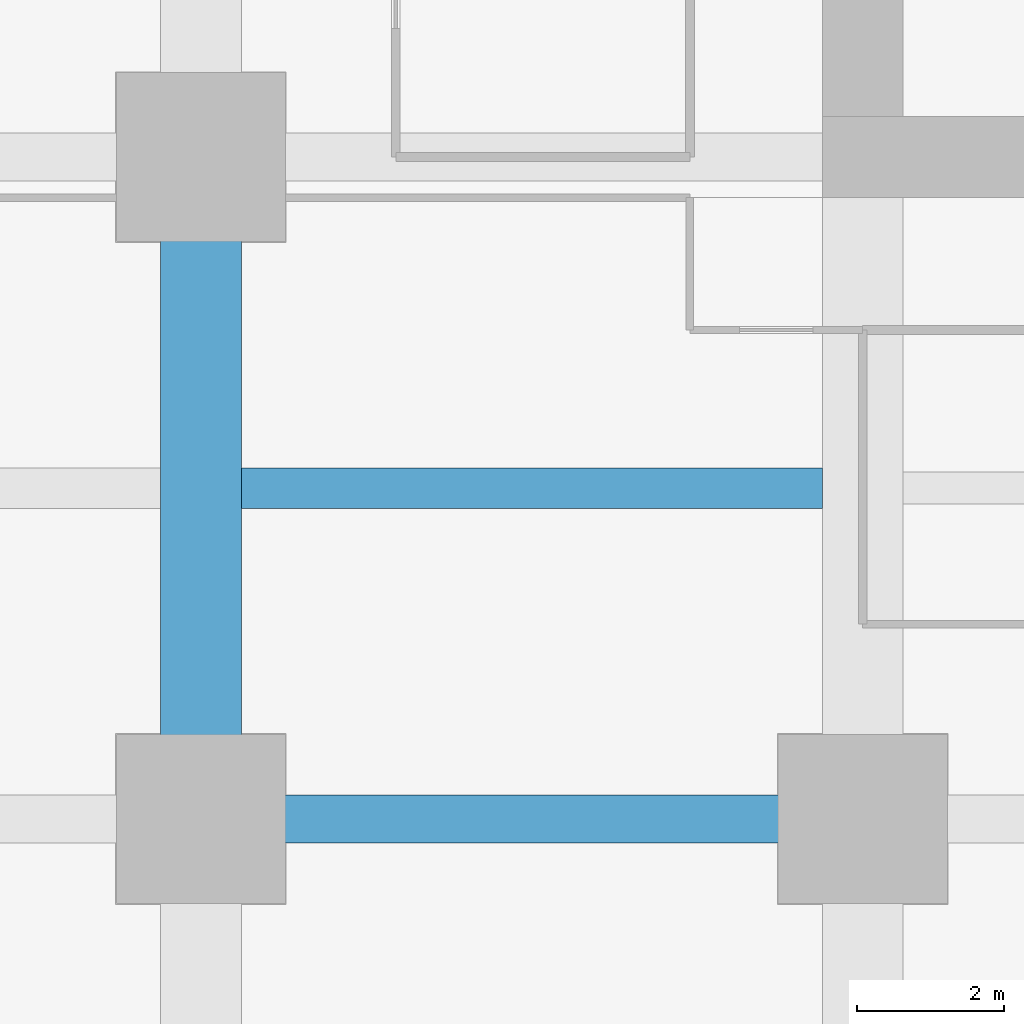
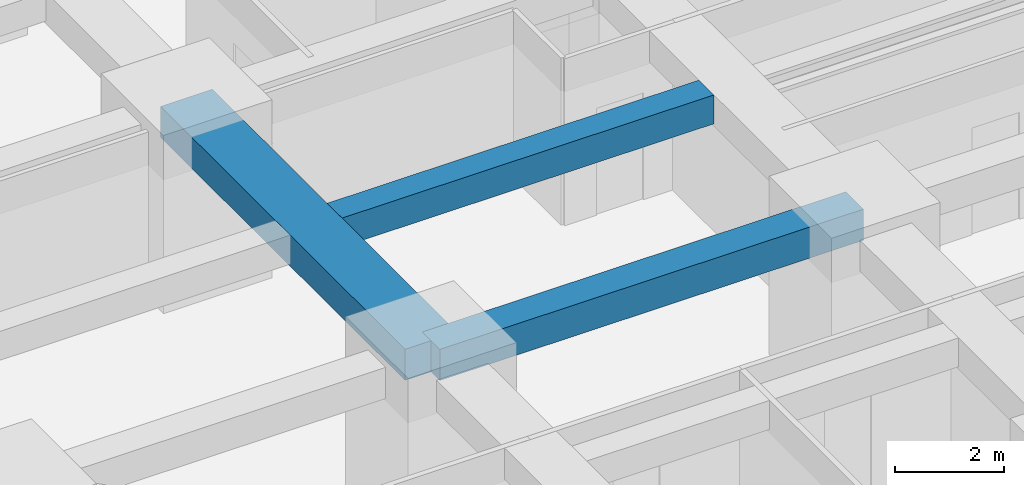
# One storey, part 5 of 44: 3 beams.
"""IFC4 building model written with IfcOpenShell, lengths in metres."""

from ifc_helpers import new_model, si_unit, direction, frame, origin, origin_2d, place, context, subcontext, project, spatial, rectangle, extrude, material, material_profile, profile_set, type_object, element, save


model = new_model("IFC4")

# Units and contexts
model_context = context("Model", 3, precision=1e-05, world=origin(), true_north=direction((0.0, 1.0)))
body_context = subcontext(model_context, "Body", "Model", "MODEL_VIEW")
ifc_project = project(units=[si_unit("LENGTHUNIT", "METRE"), si_unit("AREAUNIT", "SQUARE_METRE"), si_unit("VOLUMEUNIT", "CUBIC_METRE"), si_unit("PLANEANGLEUNIT", "RADIAN"), si_unit("MASSUNIT", "GRAM", prefix="KILO")], contexts=[model_context])

# Site, building, storey
site_placement = place(None, origin())
site = spatial("IfcSite", under=ifc_project, at=site_placement, CompositionType="ELEMENT")
building_placement = place(site_placement, origin())
building = spatial("IfcBuilding", under=site, at=building_placement, Name="Zorevar Civic Tower", CompositionType="ELEMENT")
storey_placement = place(building_placement, frame((0.0, 0.0, 43.800048828125)))
storey = spatial("IfcBuildingStorey", under=building, at=storey_placement, Name="L10", CompositionType="ELEMENT", Elevation=43.800048828125)

# Beams
ifc_material_1 = material(Name="Concrete C50/60", Category="concrete")
ifc_material_profile_1 = material_profile(ifc_material_1, rectangle(XDim=1.10009765625, YDim=0.699951171875, at=origin_2d()), Name="RC 1100x700")
ifc_profile_set_1 = profile_set([ifc_material_profile_1], Name="Concrete C50/60")
beam_type_1 = type_object("IfcBeamType", Name="Beam RC 1100x700", PredefinedType="BEAM", material=ifc_profile_set_1)
beam_1_placement = place(storey_placement, frame((9.0, 9.0, 3.39990234375), z_axis=(0.0, 1.0, 0.0), x_axis=(-1.0, 0.0, 0.0)))
element("IfcBeam", 1, at=beam_1_placement, inside=storey, type_object=beam_type_1, Name="Girder L11", PredefinedType="BEAM", context=body_context, shape_type="SweptSolid", body=[
    extrude(rectangle(XDim=1.10009765625, YDim=0.699951171875, at=origin_2d()), origin(), (0.0, 0.0, 1.0), 9.0),
])
ifc_material_2 = material(Name="Concrete C50/60", Category="concrete")
ifc_material_profile_2 = material_profile(ifc_material_2, rectangle(XDim=0.550048828125, YDim=0.64990234375, at=origin_2d()), Name="RC 550x650")
ifc_profile_set_2 = profile_set([ifc_material_profile_2], Name="Concrete C50/60")
beam_type_2 = type_object("IfcBeamType", Name="Beam RC 550x650", PredefinedType="BEAM", material=ifc_profile_set_2)
beam_2_placement = place(storey_placement, frame((9.550048828125, 13.5, 3.425048828125), z_axis=(1.0, 0.0, 0.0), x_axis=(0.0, 1.0, 0.0)))
element("IfcBeam", 2, at=beam_2_placement, inside=storey, type_object=beam_type_2, Name="Secondary beam L11", PredefinedType="BEAM", context=body_context, shape_type="SweptSolid", body=[
    extrude(rectangle(XDim=0.550048828125, YDim=0.64990234375, at=origin_2d()), origin(), (0.0, 0.0, 1.0), 7.89990234375),
])
ifc_material_3 = material(Name="Concrete C50/60", Category="concrete")
ifc_material_profile_3 = material_profile(ifc_material_3, rectangle(XDim=0.64990234375, YDim=0.699951171875, at=origin_2d()), Name="RC 650x700")
ifc_profile_set_3 = profile_set([ifc_material_profile_3], Name="Concrete C50/60")
beam_type_3 = type_object("IfcBeamType", Name="Beam RC 650x700", PredefinedType="BEAM", material=ifc_profile_set_3)
beam_3_placement = place(storey_placement, frame((9.0, 9.0, 3.39990234375), z_axis=(1.0, 0.0, 0.0), x_axis=(0.0, 1.0, 0.0)))
element("IfcBeam", 3, at=beam_3_placement, inside=storey, type_object=beam_type_3, Name="Girder L11", PredefinedType="BEAM", context=body_context, shape_type="SweptSolid", body=[
    extrude(rectangle(XDim=0.64990234375, YDim=0.699951171875, at=origin_2d()), origin(), (0.0, 0.0, 1.0), 9.0),
])

save(model, "model.ifc")
